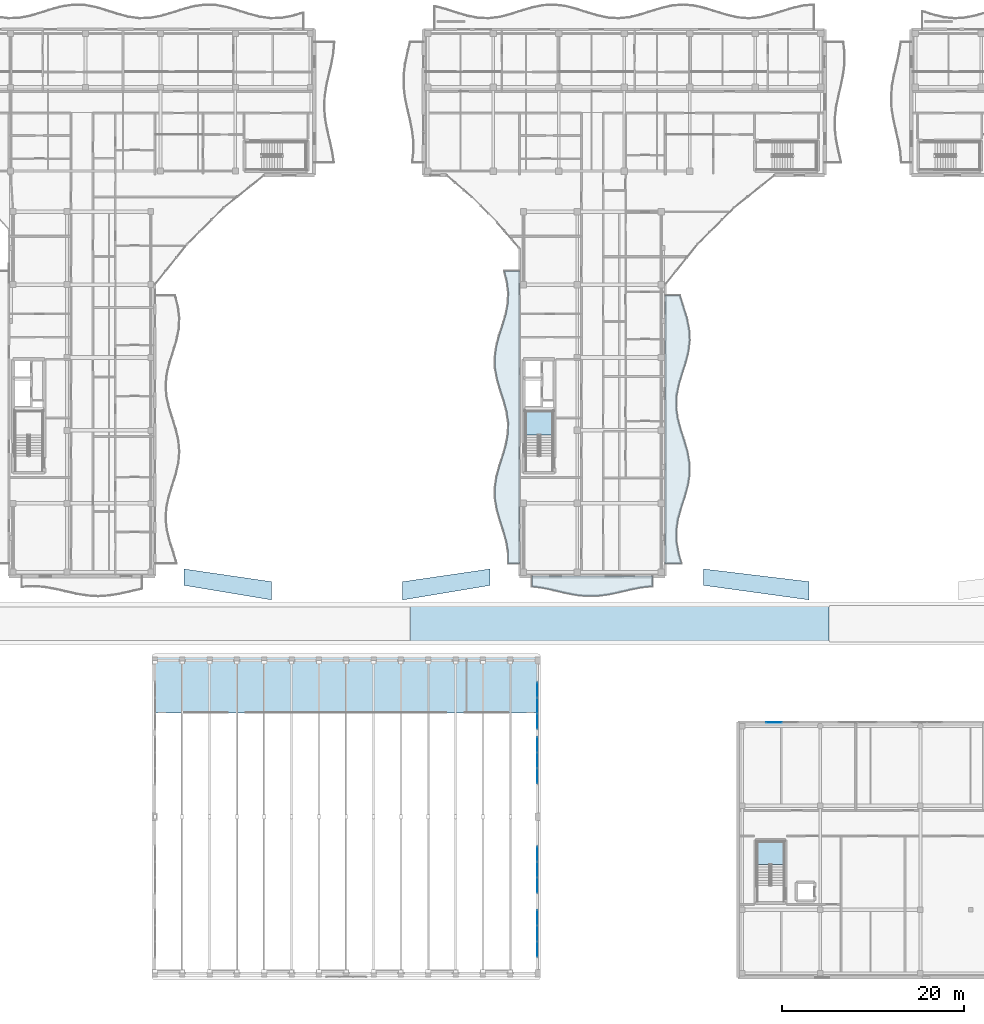
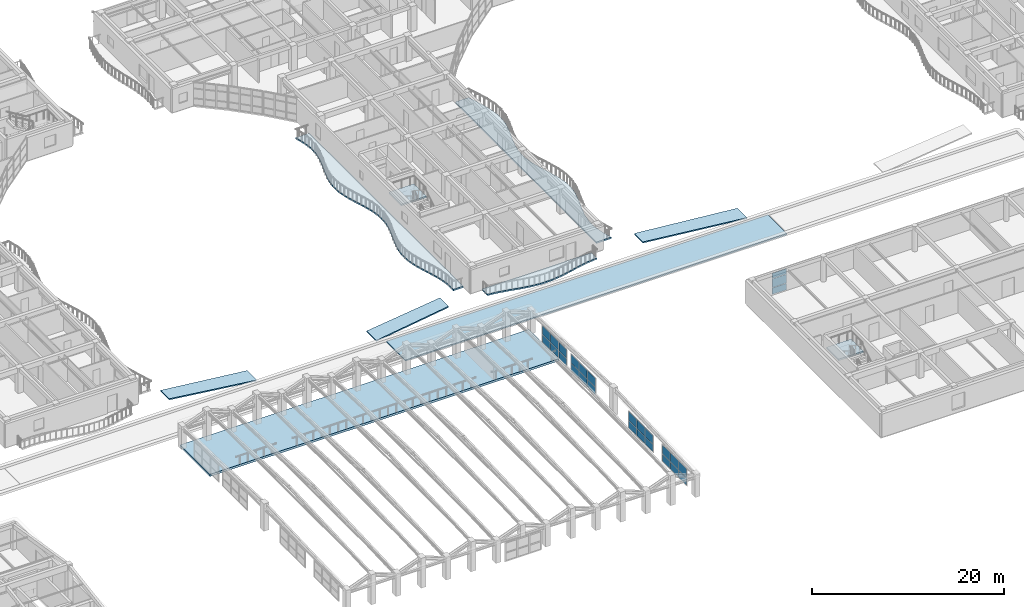
# One storey, part 71 of 128: 27 plates, 10 slabs, 7 elements without a shape of their own.
"""IFC4 building model written with IfcOpenShell, lengths in metres."""

from ifc_helpers import new_model, si_unit, direction, frame, origin, origin_2d, place, context, subcontext, project, spatial, polyline, rectangle, outline, extrude, material, layer, layer_set, type_object, element, aggregate, save


model = new_model("IFC4")

# Units and contexts
model_context = context("Model", 3, precision=1e-05, world=origin(), true_north=direction((0.0, 1.0)))
body_context = subcontext(model_context, "Body", "Model", "MODEL_VIEW")
ifc_project = project(units=[si_unit("LENGTHUNIT", "METRE"), si_unit("AREAUNIT", "SQUARE_METRE"), si_unit("VOLUMEUNIT", "CUBIC_METRE"), si_unit("PLANEANGLEUNIT", "RADIAN"), si_unit("MASSUNIT", "GRAM", prefix="KILO")], contexts=[model_context])

# Site, building, storey
site_placement = place(None, origin())
site = spatial("IfcSite", under=ifc_project, at=site_placement, CompositionType="ELEMENT")
building_placement = place(site_placement, origin())
building = spatial("IfcBuilding", under=site, at=building_placement, Name="Keldmere Railside Commons", CompositionType="ELEMENT")
storey_placement = place(building_placement, frame((0.0, 0.0, 4.159912109375)))
storey = spatial("IfcBuildingStorey", under=building, at=storey_placement, Name="L01", CompositionType="ELEMENT", Elevation=4.159912109375)

# Curtain wall, plates
ifc_material_1 = material(Name="Thermally Broken Aluminium", Category="aluminium")
ifc_layer_1 = layer(ifc_material_1, 0.159912109375, Name="Community Hall Side Clerestory CW 5200x2200")
ifc_layer_set_1 = layer_set([ifc_layer_1], Name="Thermally Broken Aluminium")
curtain_wall_type_1 = type_object("IfcCurtainWallType", Name="Community Hall Side Clerestory CW 5200x2200", PredefinedType="NOTDEFINED", material=ifc_layer_set_1)
curtain_wall_1_placement = place(storey_placement, origin())
curtain_wall_1 = element("IfcCurtainWall", 1, at=curtain_wall_1_placement, inside=storey, type_object=curtain_wall_type_1, Name="CW-06 CW-L01-208", PredefinedType="NOTDEFINED")
ifc_material_2 = material(Name="Low-E Insulated Double Glazing", Category="glass")
ifc_layer_2 = layer(ifc_material_2, 0.033935546875, Name="Acoustic Laminated Vision Panel 34")
ifc_layer_set_2 = layer_set([ifc_layer_2], Name="Low-E Insulated Double Glazing")
plate_type_1 = type_object("IfcPlateType", Name="Acoustic Laminated Vision Panel 34", PredefinedType="CURTAIN_PANEL", material=ifc_layer_set_2)
plate_1_placement = place(storey_placement, frame((105.949951171875, 37.51708984375, 0.1552734375), z_axis=(0.0, 0.0, 1.0), x_axis=(0.0, -1.0, 0.0)))
plate_1 = element("IfcPlate", 2, at=plate_1_placement, type_object=plate_type_1, Name="CW-06 panel 1.1", PredefinedType="CURTAIN_PANEL", context=body_context, shape_type="SweptSolid", body=[
    extrude(rectangle(XDim=1.6357421875, YDim=0.033935546875, at=origin_2d()), origin(), (0.0, 0.0, 1.0), 0.902587890625),
])
plate_2_placement = place(storey_placement, frame((105.949951171875, 37.51708984375, 1.12255859375), z_axis=(0.0, 0.0, 1.0), x_axis=(0.0, -1.0, 0.0)))
plate_2 = element("IfcPlate", 3, at=plate_2_placement, type_object=plate_type_1, Name="CW-06 panel 1.2", PredefinedType="CURTAIN_PANEL", context=body_context, shape_type="SweptSolid", body=[
    extrude(rectangle(XDim=1.6357421875, YDim=0.033935546875, at=origin_2d()), origin(), (0.0, 0.0, 1.0), 1.1025390625),
])
plate_3_placement = place(storey_placement, frame((105.949951171875, 35.800048828125, 0.1552734375), z_axis=(0.0, 0.0, 1.0), x_axis=(0.0, -1.0, 0.0)))
plate_3 = element("IfcPlate", 4, at=plate_3_placement, type_object=plate_type_1, Name="CW-06 panel 2.1", PredefinedType="CURTAIN_PANEL", context=body_context, shape_type="SweptSolid", body=[
    extrude(rectangle(XDim=1.668212890625, YDim=0.033935546875, at=origin_2d()), origin(), (0.0, 0.0, 1.0), 0.902587890625),
])
plate_4_placement = place(storey_placement, frame((105.949951171875, 35.800048828125, 1.12255859375), z_axis=(0.0, 0.0, 1.0), x_axis=(0.0, -1.0, 0.0)))
plate_4 = element("IfcPlate", 5, at=plate_4_placement, type_object=plate_type_1, Name="CW-06 panel 2.2", PredefinedType="CURTAIN_PANEL", context=body_context, shape_type="SweptSolid", body=[
    extrude(rectangle(XDim=1.668212890625, YDim=0.033935546875, at=origin_2d()), origin(), (0.0, 0.0, 1.0), 1.1025390625),
])
plate_5_placement = place(storey_placement, frame((105.949951171875, 34.0830078125, 0.1552734375), z_axis=(0.0, 0.0, 1.0), x_axis=(0.0, -1.0, 0.0)))
plate_5 = element("IfcPlate", 6, at=plate_5_placement, type_object=plate_type_1, Name="CW-06 panel 3.1", PredefinedType="CURTAIN_PANEL", context=body_context, shape_type="SweptSolid", body=[
    extrude(rectangle(XDim=1.6357421875, YDim=0.033935546875, at=origin_2d()), origin(), (0.0, 0.0, 1.0), 0.902587890625),
])
plate_6_placement = place(storey_placement, frame((105.949951171875, 34.0830078125, 1.12255859375), z_axis=(0.0, 0.0, 1.0), x_axis=(0.0, -1.0, 0.0)))
plate_6 = element("IfcPlate", 7, at=plate_6_placement, type_object=plate_type_1, Name="CW-06 panel 3.2", PredefinedType="CURTAIN_PANEL", context=body_context, shape_type="SweptSolid", body=[
    extrude(rectangle(XDim=1.6357421875, YDim=0.033935546875, at=origin_2d()), origin(), (0.0, 0.0, 1.0), 1.1025390625),
])
aggregate(curtain_wall_1, [plate_1, plate_2, plate_3, plate_4, plate_5, plate_6])

# Slabs
ifc_material_3 = material(Name="Concrete H-35 (C35/45)", Category="concrete")
ifc_layer_3 = layer(ifc_material_3, 0.14990234375, Name="Canopy & Headhouse Roof Slab 150")
ifc_layer_set_3 = layer_set([ifc_layer_3], Name="Concrete H-35 (C35/45)")
slab_type_1 = type_object("IfcSlabType", Name="Canopy & Headhouse Roof Slab 150", PredefinedType="ROOF", material=ifc_layer_set_3)
slab_1_placement = place(storey_placement, frame((0.0, 0.0, -0.14990234375)))
element("IfcSlab", 8, at=slab_1_placement, inside=storey, type_object=slab_type_1, Name="RT-3 COLROOF-L01-087", PredefinedType="ROOF", context=body_context, shape_type="SweptSolid", body=[
    extrude(outline(polyline([(137.969970703125, 52.800048828125), (92.030029296875, 52.800048828125), (92.030029296875, 48.800048828125), (137.969970703125, 48.800048828125), (137.969970703125, 52.800048828125)])), origin(), (0.0, 0.0, 1.0), 0.14990234375),
])
slab_2_placement = place(storey_placement, frame((0.0, 0.0, -0.14990234375)))
element("IfcSlab", 9, at=slab_2_placement, inside=storey, type_object=slab_type_1, Name="RT-3 HEXC-L-L01-091", PredefinedType="ROOF", context=body_context, shape_type="SweptSolid", body=[
    extrude(outline(polyline([(67.199951171875, 55.0), (76.800048828125, 53.39990234375), (76.800048828125, 55.39990234375), (67.199951171875, 56.800048828125), (67.199951171875, 55.0)])), origin(), (0.0, 0.0, 1.0), 0.14990234375),
])
slab_3_placement = place(storey_placement, frame((0.0, 0.0, -0.14990234375)))
element("IfcSlab", 10, at=slab_3_placement, inside=storey, type_object=slab_type_1, Name="RT-3 HEXC-R-L01-092", PredefinedType="ROOF", context=body_context, shape_type="SweptSolid", body=[
    extrude(outline(polyline([(91.199951171875, 53.39990234375), (100.800048828125, 55.0), (100.800048828125, 56.800048828125), (91.199951171875, 55.39990234375), (91.199951171875, 53.39990234375)])), origin(), (0.0, 0.0, 1.0), 0.14990234375),
])
slab_4_placement = place(storey_placement, frame((0.0, 0.0, -0.14990234375)))
element("IfcSlab", 11, at=slab_4_placement, inside=storey, type_object=slab_type_1, Name="RT-3 HEXE-L-L01-093", PredefinedType="ROOF", context=body_context, shape_type="SweptSolid", body=[
    extrude(outline(polyline([(124.199951171875, 55.0), (135.800048828125, 53.39990234375), (135.800048828125, 55.39990234375), (124.199951171875, 56.800048828125), (124.199951171875, 55.0)])), origin(), (0.0, 0.0, 1.0), 0.14990234375),
])

# Stair, slab
ifc_material_4 = material(Name="Concrete H-30 (C30/37)", Category="concrete")
stair_type_1 = type_object("IfcStairType", Name="Market Arcade Public Dogleg Stair 1420", PredefinedType="HALF_TURN_STAIR", material=ifc_material_4)
stair_1_placement = place(storey_placement, origin())
stair_1 = element("IfcStair", 12, at=stair_1_placement, inside=storey, type_object=stair_type_1, Name="L01 Market Arcade Escape Stair ST-M1", PredefinedType="HALF_TURN_STAIR")
ifc_layer_4 = layer(ifc_material_4, 0.2099609375, Name="Civic Stair Landing Slab 210")
ifc_layer_set_4 = layer_set([ifc_layer_4], Name="Concrete H-30 (C30/37)")
slab_type_2 = type_object("IfcSlabType", Name="Civic Stair Landing Slab 210", PredefinedType="LANDING", material=ifc_layer_set_4)
slab_5_placement = place(storey_placement, frame((0.0, 0.0, 1.400146484375)))
slab_5 = element("IfcSlab", 13, at=slab_5_placement, type_object=slab_type_2, Name="ST-M1 landing 1", PredefinedType="LANDING", context=body_context, shape_type="SweptSolid", body=[
    extrude(outline(polyline([(133.050048828125, 24.3701171875), (133.050048828125, 26.89990234375), (130.06005859375, 26.89990234375), (130.06005859375, 24.3701171875), (133.050048828125, 24.3701171875)])), origin(), (0.0, 0.0, 1.0), 0.199951171875),
])
aggregate(stair_1, [slab_5])

# Curtain wall, plates
curtain_wall_2_placement = place(storey_placement, origin())
curtain_wall_2 = element("IfcCurtainWall", 14, at=curtain_wall_2_placement, inside=storey, type_object=curtain_wall_type_1, Name="CW-06 CW-L01-206", PredefinedType="NOTDEFINED")
ifc_layer_5 = layer(ifc_material_2, 0.031982421875, Name="Clerestory Solar-Control Vision Panel 32")
ifc_layer_set_5 = layer_set([ifc_layer_5], Name="Low-E Insulated Double Glazing")
plate_type_2 = type_object("IfcPlateType", Name="Clerestory Solar-Control Vision Panel 32", PredefinedType="CURTAIN_PANEL", material=ifc_layer_set_5)
plate_7_placement = place(storey_placement, frame((105.949951171875, 25.51708984375, 0.1552734375), z_axis=(0.0, 0.0, 1.0), x_axis=(0.0, -1.0, 0.0)))
plate_7 = element("IfcPlate", 15, at=plate_7_placement, type_object=plate_type_2, Name="CW-06 panel 1.1", PredefinedType="CURTAIN_PANEL", context=body_context, shape_type="SweptSolid", body=[
    extrude(rectangle(XDim=1.6357421875, YDim=0.031982421875, at=origin_2d()), origin(), (0.0, 0.0, 1.0), 0.902587890625),
])
plate_8_placement = place(storey_placement, frame((105.949951171875, 25.51708984375, 1.12255859375), z_axis=(0.0, 0.0, 1.0), x_axis=(0.0, -1.0, 0.0)))
plate_8 = element("IfcPlate", 16, at=plate_8_placement, type_object=plate_type_2, Name="CW-06 panel 1.2", PredefinedType="CURTAIN_PANEL", context=body_context, shape_type="SweptSolid", body=[
    extrude(rectangle(XDim=1.6357421875, YDim=0.031982421875, at=origin_2d()), origin(), (0.0, 0.0, 1.0), 1.1025390625),
])
plate_9_placement = place(storey_placement, frame((105.949951171875, 23.800048828125, 0.1552734375), z_axis=(0.0, 0.0, 1.0), x_axis=(0.0, -1.0, 0.0)))
plate_9 = element("IfcPlate", 17, at=plate_9_placement, type_object=plate_type_2, Name="CW-06 panel 2.1", PredefinedType="CURTAIN_PANEL", context=body_context, shape_type="SweptSolid", body=[
    extrude(rectangle(XDim=1.668212890625, YDim=0.031982421875, at=origin_2d()), origin(), (0.0, 0.0, 1.0), 0.902587890625),
])
plate_10_placement = place(storey_placement, frame((105.949951171875, 23.800048828125, 1.12255859375), z_axis=(0.0, 0.0, 1.0), x_axis=(0.0, -1.0, 0.0)))
plate_10 = element("IfcPlate", 18, at=plate_10_placement, type_object=plate_type_2, Name="CW-06 panel 2.2", PredefinedType="CURTAIN_PANEL", context=body_context, shape_type="SweptSolid", body=[
    extrude(rectangle(XDim=1.668212890625, YDim=0.031982421875, at=origin_2d()), origin(), (0.0, 0.0, 1.0), 1.1025390625),
])
plate_11_placement = place(storey_placement, frame((105.949951171875, 22.0830078125, 0.1552734375), z_axis=(0.0, 0.0, 1.0), x_axis=(0.0, -1.0, 0.0)))
plate_11 = element("IfcPlate", 19, at=plate_11_placement, type_object=plate_type_2, Name="CW-06 panel 3.1", PredefinedType="CURTAIN_PANEL", context=body_context, shape_type="SweptSolid", body=[
    extrude(rectangle(XDim=1.6357421875, YDim=0.031982421875, at=origin_2d()), origin(), (0.0, 0.0, 1.0), 0.902587890625),
])
plate_12_placement = place(storey_placement, frame((105.949951171875, 22.0830078125, 1.12255859375), z_axis=(0.0, 0.0, 1.0), x_axis=(0.0, -1.0, 0.0)))
plate_12 = element("IfcPlate", 20, at=plate_12_placement, type_object=plate_type_2, Name="CW-06 panel 3.2", PredefinedType="CURTAIN_PANEL", context=body_context, shape_type="SweptSolid", body=[
    extrude(rectangle(XDim=1.6357421875, YDim=0.031982421875, at=origin_2d()), origin(), (0.0, 0.0, 1.0), 1.1025390625),
])
aggregate(curtain_wall_2, [plate_7, plate_8, plate_9, plate_10, plate_11, plate_12])

ifc_layer_6 = layer(ifc_material_1, 0.159912109375, Name="Market Arcade Upper Gallery CW 3600x2800")
ifc_layer_set_6 = layer_set([ifc_layer_6], Name="Thermally Broken Aluminium")
curtain_wall_type_2 = type_object("IfcCurtainWallType", Name="Market Arcade Upper Gallery CW 3600x2800", PredefinedType="NOTDEFINED", material=ifc_layer_set_6)
curtain_wall_3_placement = place(storey_placement, origin())
curtain_wall_3 = element("IfcCurtainWall", 21, at=curtain_wall_3_placement, inside=storey, type_object=curtain_wall_type_2, Name="CW-03 CW-L01-218", PredefinedType="NOTDEFINED")
plate_13_placement = place(storey_placement, frame((131.916259765625, 39.949951171875, 0.06494140625), z_axis=(0.0, 0.0, 1.0), x_axis=(1.0, 0.0, 0.0)))
plate_13 = element("IfcPlate", 22, at=plate_13_placement, type_object=plate_type_2, Name="CW-03 panel 1.1", PredefinedType="CURTAIN_PANEL", context=body_context, shape_type="SweptSolid", body=[
    extrude(rectangle(XDim=1.702392578125, YDim=0.031982421875, at=origin_2d()), origin(), (0.0, 0.0, 1.0), 0.802490234375),
])
plate_14_placement = place(storey_placement, frame((131.916259765625, 39.949951171875, 0.9326171875), z_axis=(0.0, 0.0, 1.0), x_axis=(1.0, 0.0, 0.0)))
plate_14 = element("IfcPlate", 23, at=plate_14_placement, type_object=plate_type_2, Name="CW-03 panel 1.2", PredefinedType="CURTAIN_PANEL", context=body_context, shape_type="SweptSolid", body=[
    extrude(rectangle(XDim=1.702392578125, YDim=0.031982421875, at=origin_2d()), origin(), (0.0, 0.0, 1.0), 1.0849609375),
])
plate_15_placement = place(storey_placement, frame((131.916259765625, 39.949951171875, 2.08251953125), z_axis=(0.0, 0.0, 1.0), x_axis=(1.0, 0.0, 0.0)))
plate_15 = element("IfcPlate", 24, at=plate_15_placement, type_object=plate_type_2, Name="CW-03 panel 1.3", PredefinedType="CURTAIN_PANEL", context=body_context, shape_type="SweptSolid", body=[
    extrude(rectangle(XDim=1.702392578125, YDim=0.031982421875, at=origin_2d()), origin(), (0.0, 0.0, 1.0), 0.652587890625),
])
aggregate(curtain_wall_3, [plate_13, plate_14, plate_15])

# Stair, slab
stair_type_2 = type_object("IfcStairType", Name="Basement Garage Dogleg Escape Stair 1450", PredefinedType="HALF_TURN_STAIR", material=ifc_material_4)
stair_2_placement = place(storey_placement, origin())
stair_2 = element("IfcStair", 25, at=stair_2_placement, inside=storey, type_object=stair_type_2, Name="L01 Block B Primary Escape Stair 1", PredefinedType="HALF_TURN_STAIR")
ifc_layer_7 = layer(ifc_material_4, 0.199951171875, Name="Enclosed Stair Landing Slab 200")
ifc_layer_set_7 = layer_set([ifc_layer_7], Name="Concrete H-30 (C30/37)")
slab_type_3 = type_object("IfcSlabType", Name="Enclosed Stair Landing Slab 200", PredefinedType="LANDING", material=ifc_layer_set_7)
slab_6_placement = place(storey_placement, frame((0.0, 0.0, 1.400146484375)))
slab_6 = element("IfcSlab", 26, at=slab_6_placement, type_object=slab_type_3, Name="ST-B1 landing 1", PredefinedType="LANDING", context=body_context, shape_type="SweptSolid", body=[
    extrude(outline(polyline([(107.699951171875, 71.52001953125), (107.699951171875, 74.10009765625), (104.64990234375, 74.10009765625), (104.64990234375, 71.52001953125), (107.699951171875, 71.52001953125)])), origin(), (0.0, 0.0, 1.0), 0.199951171875),
])
aggregate(stair_2, [slab_6])

# Slab
ifc_layer_8 = layer(ifc_material_4, 0.280029296875, Name="Hall Stage & Gallery Slab 280")
ifc_layer_set_8 = layer_set([ifc_layer_8], Name="Concrete H-30 (C30/37)")
slab_type_4 = type_object("IfcSlabType", Name="Hall Stage & Gallery Slab 280", PredefinedType="FLOOR", material=ifc_layer_set_8)
slab_7_placement = place(storey_placement, frame((0.0, 0.0, -0.280029296875)))
element("IfcSlab", 27, at=slab_7_placement, inside=storey, type_object=slab_type_4, Name="FS-4 HALLGAL-L01-076", PredefinedType="FLOOR", context=body_context, shape_type="SweptSolid", body=[
    extrude(outline(polyline([(106.0, 41.0), (106.0, 47.199951171875), (64.0, 47.199951171875), (64.0, 41.0), (106.0, 41.0)])), origin(), (0.0, 0.0, 1.0), 0.280029296875),
])

# Curtain wall, plates
curtain_wall_4_placement = place(storey_placement, origin())
curtain_wall_4 = element("IfcCurtainWall", 28, at=curtain_wall_4_placement, inside=storey, type_object=curtain_wall_type_1, Name="CW-06 CW-L01-204", PredefinedType="NOTDEFINED")
ifc_layer_9 = layer(ifc_material_2, 0.028076171875, Name="Low-E Vision Glazing Panel 28")
ifc_layer_set_9 = layer_set([ifc_layer_9], Name="Low-E Insulated Double Glazing")
plate_type_3 = type_object("IfcPlateType", Name="Low-E Vision Glazing Panel 28", PredefinedType="CURTAIN_PANEL", material=ifc_layer_set_9)
plate_16_placement = place(storey_placement, frame((105.949951171875, 18.51708984375, 0.1552734375), z_axis=(0.0, 0.0, 1.0), x_axis=(0.0, -1.0, 0.0)))
plate_16 = element("IfcPlate", 29, at=plate_16_placement, type_object=plate_type_3, Name="CW-06 panel 1.1", PredefinedType="CURTAIN_PANEL", context=body_context, shape_type="SweptSolid", body=[
    extrude(rectangle(XDim=1.6357421875, YDim=0.028076171875, at=origin_2d()), origin(), (0.0, 0.0, 1.0), 0.902587890625),
])
plate_17_placement = place(storey_placement, frame((105.949951171875, 18.51708984375, 1.12255859375), z_axis=(0.0, 0.0, 1.0), x_axis=(0.0, -1.0, 0.0)))
plate_17 = element("IfcPlate", 30, at=plate_17_placement, type_object=plate_type_3, Name="CW-06 panel 1.2", PredefinedType="CURTAIN_PANEL", context=body_context, shape_type="SweptSolid", body=[
    extrude(rectangle(XDim=1.6357421875, YDim=0.028076171875, at=origin_2d()), origin(), (0.0, 0.0, 1.0), 1.1025390625),
])
plate_18_placement = place(storey_placement, frame((105.949951171875, 16.800048828125, 0.1552734375), z_axis=(0.0, 0.0, 1.0), x_axis=(0.0, -1.0, 0.0)))
plate_18 = element("IfcPlate", 31, at=plate_18_placement, type_object=plate_type_3, Name="CW-06 panel 2.1", PredefinedType="CURTAIN_PANEL", context=body_context, shape_type="SweptSolid", body=[
    extrude(rectangle(XDim=1.668212890625, YDim=0.028076171875, at=origin_2d()), origin(), (0.0, 0.0, 1.0), 0.902587890625),
])
plate_19_placement = place(storey_placement, frame((105.949951171875, 16.800048828125, 1.12255859375), z_axis=(0.0, 0.0, 1.0), x_axis=(0.0, -1.0, 0.0)))
plate_19 = element("IfcPlate", 32, at=plate_19_placement, type_object=plate_type_3, Name="CW-06 panel 2.2", PredefinedType="CURTAIN_PANEL", context=body_context, shape_type="SweptSolid", body=[
    extrude(rectangle(XDim=1.668212890625, YDim=0.028076171875, at=origin_2d()), origin(), (0.0, 0.0, 1.0), 1.1025390625),
])
plate_20_placement = place(storey_placement, frame((105.949951171875, 15.0830078125, 0.1552734375), z_axis=(0.0, 0.0, 1.0), x_axis=(0.0, -1.0, 0.0)))
plate_20 = element("IfcPlate", 33, at=plate_20_placement, type_object=plate_type_3, Name="CW-06 panel 3.1", PredefinedType="CURTAIN_PANEL", context=body_context, shape_type="SweptSolid", body=[
    extrude(rectangle(XDim=1.6357421875, YDim=0.028076171875, at=origin_2d()), origin(), (0.0, 0.0, 1.0), 0.902587890625),
])
plate_21_placement = place(storey_placement, frame((105.949951171875, 15.0830078125, 1.12255859375), z_axis=(0.0, 0.0, 1.0), x_axis=(0.0, -1.0, 0.0)))
plate_21 = element("IfcPlate", 34, at=plate_21_placement, type_object=plate_type_3, Name="CW-06 panel 3.2", PredefinedType="CURTAIN_PANEL", context=body_context, shape_type="SweptSolid", body=[
    extrude(rectangle(XDim=1.6357421875, YDim=0.028076171875, at=origin_2d()), origin(), (0.0, 0.0, 1.0), 1.1025390625),
])
aggregate(curtain_wall_4, [plate_16, plate_17, plate_18, plate_19, plate_20, plate_21])

curtain_wall_5_placement = place(storey_placement, origin())
curtain_wall_5 = element("IfcCurtainWall", 35, at=curtain_wall_5_placement, inside=storey, type_object=curtain_wall_type_1, Name="CW-06 CW-L01-210", PredefinedType="NOTDEFINED")
plate_22_placement = place(storey_placement, frame((105.949951171875, 43.51708984375, 0.1552734375), z_axis=(0.0, 0.0, 1.0), x_axis=(0.0, -1.0, 0.0)))
plate_22 = element("IfcPlate", 36, at=plate_22_placement, type_object=plate_type_3, Name="CW-06 panel 1.1", PredefinedType="CURTAIN_PANEL", context=body_context, shape_type="SweptSolid", body=[
    extrude(rectangle(XDim=1.6357421875, YDim=0.028076171875, at=origin_2d()), origin(), (0.0, 0.0, 1.0), 0.902587890625),
])
plate_23_placement = place(storey_placement, frame((105.949951171875, 43.51708984375, 1.12255859375), z_axis=(0.0, 0.0, 1.0), x_axis=(0.0, -1.0, 0.0)))
plate_23 = element("IfcPlate", 37, at=plate_23_placement, type_object=plate_type_3, Name="CW-06 panel 1.2", PredefinedType="CURTAIN_PANEL", context=body_context, shape_type="SweptSolid", body=[
    extrude(rectangle(XDim=1.6357421875, YDim=0.028076171875, at=origin_2d()), origin(), (0.0, 0.0, 1.0), 1.1025390625),
])
plate_24_placement = place(storey_placement, frame((105.949951171875, 41.800048828125, 0.1552734375), z_axis=(0.0, 0.0, 1.0), x_axis=(0.0, -1.0, 0.0)))
plate_24 = element("IfcPlate", 38, at=plate_24_placement, type_object=plate_type_3, Name="CW-06 panel 2.1", PredefinedType="CURTAIN_PANEL", context=body_context, shape_type="SweptSolid", body=[
    extrude(rectangle(XDim=1.668212890625, YDim=0.028076171875, at=origin_2d()), origin(), (0.0, 0.0, 1.0), 0.902587890625),
])
plate_25_placement = place(storey_placement, frame((105.949951171875, 41.800048828125, 1.12255859375), z_axis=(0.0, 0.0, 1.0), x_axis=(0.0, -1.0, 0.0)))
plate_25 = element("IfcPlate", 39, at=plate_25_placement, type_object=plate_type_3, Name="CW-06 panel 2.2", PredefinedType="CURTAIN_PANEL", context=body_context, shape_type="SweptSolid", body=[
    extrude(rectangle(XDim=1.668212890625, YDim=0.028076171875, at=origin_2d()), origin(), (0.0, 0.0, 1.0), 1.1025390625),
])
plate_26_placement = place(storey_placement, frame((105.949951171875, 40.0830078125, 0.1552734375), z_axis=(0.0, 0.0, 1.0), x_axis=(0.0, -1.0, 0.0)))
plate_26 = element("IfcPlate", 40, at=plate_26_placement, type_object=plate_type_3, Name="CW-06 panel 3.1", PredefinedType="CURTAIN_PANEL", context=body_context, shape_type="SweptSolid", body=[
    extrude(rectangle(XDim=1.6357421875, YDim=0.028076171875, at=origin_2d()), origin(), (0.0, 0.0, 1.0), 0.902587890625),
])
plate_27_placement = place(storey_placement, frame((105.949951171875, 40.0830078125, 1.12255859375), z_axis=(0.0, 0.0, 1.0), x_axis=(0.0, -1.0, 0.0)))
plate_27 = element("IfcPlate", 41, at=plate_27_placement, type_object=plate_type_3, Name="CW-06 panel 3.2", PredefinedType="CURTAIN_PANEL", context=body_context, shape_type="SweptSolid", body=[
    extrude(rectangle(XDim=1.6357421875, YDim=0.028076171875, at=origin_2d()), origin(), (0.0, 0.0, 1.0), 1.1025390625),
])
aggregate(curtain_wall_5, [plate_22, plate_23, plate_24, plate_25, plate_26, plate_27])

# Slabs
ifc_material_5 = material(Name="White Precast Concrete H-35 (C35/45)", Category="concrete")
ifc_layer_10 = layer(ifc_material_5, 0.179931640625, Name="Sinusoidal Wave Balcony Slab 180")
ifc_layer_set_10 = layer_set([ifc_layer_10], Name="White Precast Concrete H-35 (C35/45)")
slab_type_5 = type_object("IfcSlabType", Name="Sinusoidal Wave Balcony Slab 180", PredefinedType="FLOOR", material=ifc_layer_set_10)
slab_8_placement = place(storey_placement, frame((0.0, 0.0, -0.179931640625)))
element("IfcSlab", 42, at=slab_8_placement, inside=storey, type_object=slab_type_5, Name="WB-1 B L01 CE Wave Balcony", PredefinedType="FLOOR", context=body_context, shape_type="SweptSolid", body=[
    extrude(outline(polyline([(121.794921875, 57.39990234375), (121.442626953125, 58.625), (121.23193359375, 59.85009765625), (121.2216796875, 61.074951171875), (121.41455078125, 62.300048828125), (121.756591796875, 63.52490234375), (122.15283203125, 64.75), (122.492431640625, 65.97509765625), (122.6806640625, 67.199951171875), (122.6650390625, 68.425048828125), (122.449951171875, 69.64990234375), (122.095458984375, 70.875), (121.700439453125, 72.10009765625), (121.375, 73.324951171875), (121.2099609375, 74.550048828125), (121.251220703125, 75.77490234375), (121.487548828125, 77.0), (121.85302734375, 78.22509765625), (122.245361328125, 79.449951171875), (122.555419921875, 80.675048828125), (122.696533203125, 81.89990234375), (122.62939453125, 83.125), (122.372802734375, 84.35009765625), (121.998291015625, 85.574951171875), (121.610107421875, 86.800048828125), (120.0, 86.800048828125), (120.0, 85.574951171875), (120.0, 84.35009765625), (120.0, 83.125), (120.0, 81.89990234375), (120.0, 80.675048828125), (120.0, 79.449951171875), (120.0, 78.22509765625), (120.0, 77.0), (120.0, 75.77490234375), (120.0, 74.550048828125), (120.0, 73.324951171875), (120.0, 72.10009765625), (120.0, 70.875), (120.0, 69.64990234375), (120.0, 68.425048828125), (120.0, 67.199951171875), (120.0, 65.97509765625), (120.0, 64.75), (120.0, 63.52490234375), (120.0, 62.300048828125), (120.0, 61.074951171875), (120.0, 59.85009765625), (120.0, 58.625), (120.0, 57.39990234375), (121.794921875, 57.39990234375)])), origin(), (0.0, 0.0, 1.0), 0.179931640625),
])
slab_9_placement = place(storey_placement, frame((0.0, 0.0, -0.179931640625)))
element("IfcSlab", 43, at=slab_9_placement, inside=storey, type_object=slab_type_5, Name="WB-1 B L01 CW Wave Balcony", PredefinedType="FLOOR", context=body_context, shape_type="SweptSolid", body=[
    extrude(outline(polyline([(104.0, 57.39990234375), (104.0, 58.5888671875), (104.0, 59.77783203125), (104.0, 60.966796875), (104.0, 62.155517578125), (104.0, 63.344482421875), (104.0, 64.533203125), (104.0, 65.72216796875), (104.0, 66.9111328125), (104.0, 68.10009765625), (104.0, 69.288818359375), (104.0, 70.477783203125), (104.0, 71.666748046875), (104.0, 72.855712890625), (104.0, 74.04443359375), (104.0, 75.2333984375), (104.0, 76.422119140625), (104.0, 77.611083984375), (104.0, 78.800048828125), (104.0, 79.989013671875), (104.0, 81.177734375), (104.0, 82.36669921875), (104.0, 83.5556640625), (104.0, 84.744384765625), (104.0, 85.933349609375), (104.0, 87.122314453125), (104.0, 88.31103515625), (104.0, 89.5), (102.33740234375, 89.5), (102.64306640625, 88.31103515625), (102.792724609375, 87.122314453125), (102.746826171875, 85.933349609375), (102.517578125, 84.744384765625), (102.16552734375, 83.5556640625), (101.782958984375, 82.36669921875), (101.470458984375, 81.177734375), (101.310791015625, 79.989013671875), (101.345458984375, 78.800048828125), (101.5654296875, 77.611083984375), (101.9130859375, 76.422119140625), (102.296630859375, 75.2333984375), (102.615478515625, 74.04443359375), (102.785400390625, 72.855712890625), (102.76171875, 71.666748046875), (102.551025390625, 70.477783203125), (102.208251953125, 69.288818359375), (101.823974609375, 68.10009765625), (101.499267578125, 66.9111328125), (101.3193359375, 65.72216796875), (101.33154296875, 64.533203125), (101.532958984375, 63.344482421875), (101.870361328125, 62.155517578125), (102.2548828125, 60.966796875), (102.585693359375, 59.77783203125), (102.775390625, 58.5888671875), (102.7744140625, 57.39990234375), (104.0, 57.39990234375)])), origin(), (0.0, 0.0, 1.0), 0.179931640625),
])
slab_10_placement = place(storey_placement, frame((0.0, 0.0, -0.179931640625)))
element("IfcSlab", 44, at=slab_10_placement, inside=storey, type_object=slab_type_5, Name="WB-1 B L01 S Wave Balcony", PredefinedType="FLOOR", context=body_context, shape_type="SweptSolid", body=[
    extrude(outline(polyline([(105.39990234375, 54.868896484375), (106.60009765625, 54.708251953125), (107.800048828125, 54.45166015625), (109.0, 54.167724609375), (110.199951171875, 53.932861328125), (111.39990234375, 53.8095703125), (112.60009765625, 53.8310546875), (113.800048828125, 53.99169921875), (115.0, 54.248291015625), (116.199951171875, 54.5322265625), (117.39990234375, 54.76708984375), (118.60009765625, 54.890380859375), (118.60009765625, 56.0), (117.39990234375, 56.0), (116.199951171875, 56.0), (115.0, 56.0), (113.800048828125, 56.0), (112.60009765625, 56.0), (111.39990234375, 56.0), (110.199951171875, 56.0), (109.0, 56.0), (107.800048828125, 56.0), (106.60009765625, 56.0), (105.39990234375, 56.0), (105.39990234375, 54.868896484375)])), origin(), (0.0, 0.0, 1.0), 0.179931640625),
])

save(model, "model.ifc")
